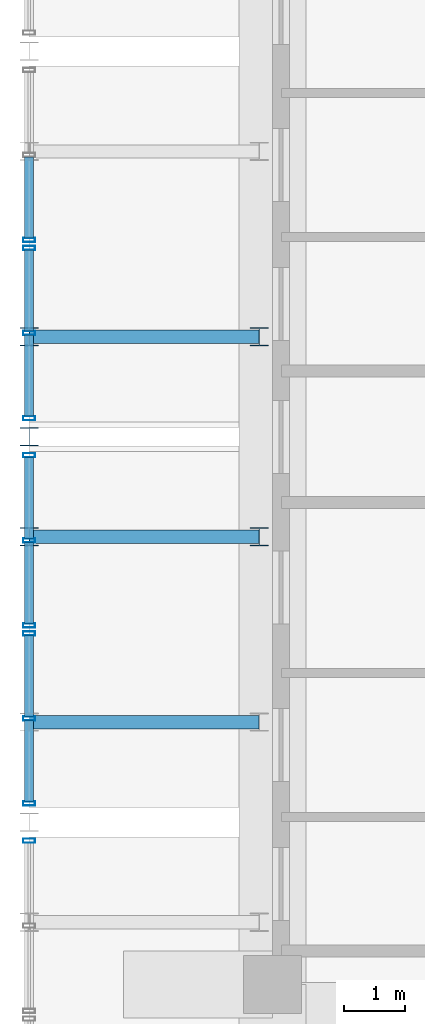
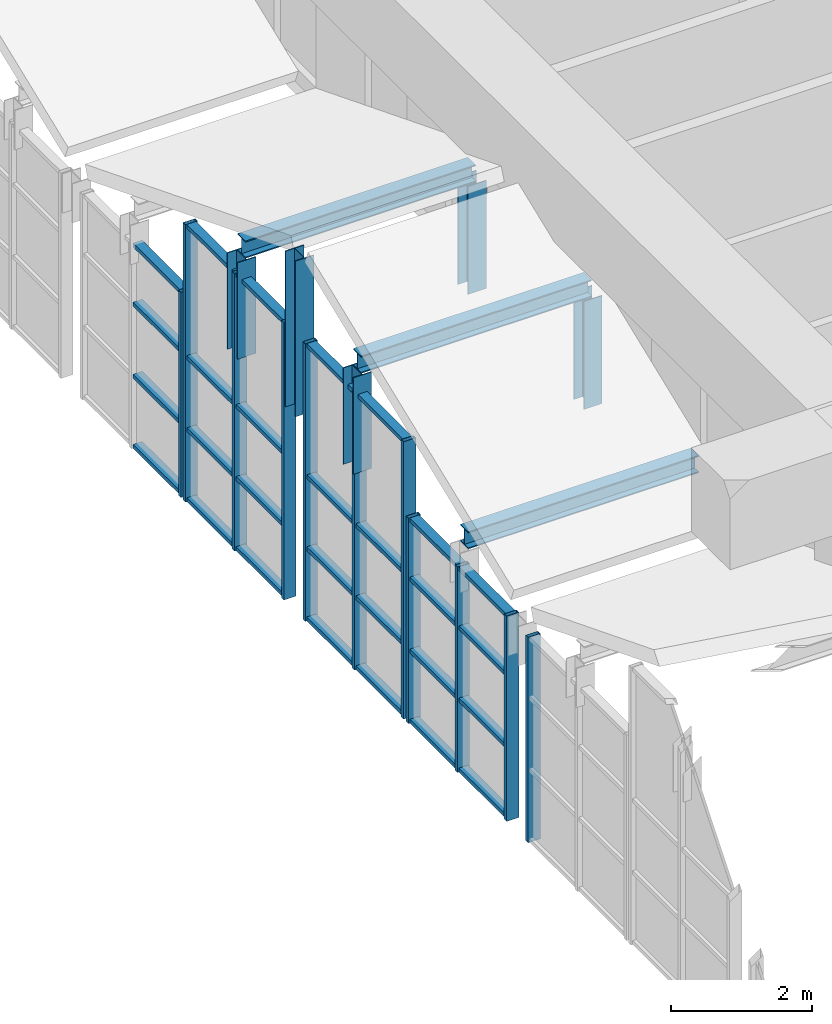
# One storey, part 8 of 45: 47 members, 5 elements without a shape of their own.
"""IFC4 building model written with IfcOpenShell, lengths in metres."""

import ifcopenshell
import ifcopenshell.guid

model = None  # the IFC model being written
_history = None  # IfcOwnerHistory: only IFC2X3 demands one
_inside = {}  # id of a spatial element -> (the spatial element, [elements in it])
_under = {}  # id of a project, library or spatial element -> (it, [spatial elements below it])
_declared = {}  # id of a project -> (the project, [libraries it declares])
_typed = {}  # id of a type object -> (the type object, [elements of that type])
_made_of = {}  # id of a material, layer set ... -> (it, [elements and type objects made of it])


def new_model(schema):
    """Start an empty IFC model of exactly this schema.

    Asked for "IFC4X3", IfcOpenShell would pick the latest addendum, in which some entities
    have other attributes; the version numbers below select the first issue.
    IFC2X3 requires an IfcOwnerHistory on every rooted entity: one is made here for all.
    """
    global model, _history
    if schema == "IFC4X3":
        model = ifcopenshell.file(schema_version=(4, 3, 0, 0))
    else:
        model = ifcopenshell.file(schema=schema)
    _inside.clear()
    _under.clear()
    _declared.clear()
    _typed.clear()
    _made_of.clear()
    _history = None
    if model.schema == "IFC2X3":
        org = make("IfcOrganization", Name="unknown")
        user = make(
            "IfcPersonAndOrganization",
            ThePerson=make("IfcPerson", FamilyName="unknown"),
            TheOrganization=org,
        )
        app = make(
            "IfcApplication",
            ApplicationDeveloper=org,
            Version="unknown",
            ApplicationFullName="unknown",
            ApplicationIdentifier="unknown",
        )
        _history = make(
            "IfcOwnerHistory",
            OwningUser=user,
            OwningApplication=app,
            ChangeAction="ADDED",
            CreationDate=0,
        )
    return model


def make(cls, **values):
    """One entity of the class cls with the attributes given. An attribute that is None is left unset."""
    return model.create_entity(
        cls, **{name: value for name, value in values.items() if value is not None}
    )


def rooted(cls, **values):
    """An entity with a GlobalId (a new one), such as an element, a storey or a relation."""
    return make(cls, GlobalId=ifcopenshell.guid.new(), OwnerHistory=_history, **values)


def si_unit(unit_type, name, prefix=None):
    """IfcSIUnit, for example si_unit("LENGTHUNIT", "METRE", prefix="MILLI")."""
    return make("IfcSIUnit", UnitType=unit_type, Prefix=prefix, Name=name)


def assignment(units):
    """IfcUnitAssignment: the units of a project."""
    return None if units is None else make("IfcUnitAssignment", Units=units)


def point(xyz):
    """IfcCartesianPoint."""
    return None if xyz is None else make("IfcCartesianPoint", Coordinates=xyz)


def direction(xyz):
    """IfcDirection."""
    return None if xyz is None else make("IfcDirection", DirectionRatios=xyz)


def frame(location, z_axis=None, x_axis=None):
    """IfcAxis2Placement3D, a coordinate frame: its origin and axes. An axis left out is left unset."""
    return make(
        "IfcAxis2Placement3D",
        Location=point(location),
        Axis=direction(z_axis),
        RefDirection=direction(x_axis),
    )


def frame_2d(location, x_axis=None):
    """IfcAxis2Placement2D, a coordinate frame in the plane: its origin and x axis."""
    return make(
        "IfcAxis2Placement2D", Location=point(location), RefDirection=direction(x_axis)
    )


def origin():
    """The frame at (0, 0, 0) with its axes left unset."""
    return frame((0.0, 0.0, 0.0))


def origin_2d():
    """The frame at (0, 0) in the plane with its x axis left unset."""
    return frame_2d((0.0, 0.0))


def place(relative_to, where):
    """IfcLocalPlacement: puts the frame where relative to a parent placement (None: the world)."""
    return make(
        "IfcLocalPlacement", PlacementRelTo=relative_to, RelativePlacement=where
    )


def context(
    kind, dimensions, precision=None, world=None, true_north=None, identifier=None
):
    """IfcGeometricRepresentationContext, for example the 3D "Model" context."""
    return make(
        "IfcGeometricRepresentationContext",
        ContextIdentifier=identifier,
        ContextType=kind,
        CoordinateSpaceDimension=dimensions,
        Precision=precision,
        WorldCoordinateSystem=world,
        TrueNorth=true_north,
    )


def subcontext(parent, identifier, kind, view, scale=None):
    """IfcGeometricRepresentationSubContext, for example "Body" below "Model"."""
    return make(
        "IfcGeometricRepresentationSubContext",
        ContextIdentifier=identifier,
        ContextType=kind,
        ParentContext=parent,
        TargetScale=scale,
        TargetView=view,
    )


def project(units=None, contexts=None):
    """IfcProject with its units and contexts."""
    return rooted(
        "IfcProject",
        Name="project",
        RepresentationContexts=contexts,
        UnitsInContext=assignment(units),
    )


def spatial(cls, under=None, at=None, **own):
    """A site, building, storey or space (cls), placed at a placement, below another one or the project."""
    s = rooted(cls, ObjectPlacement=at, **own)
    if under is not None:
        _under.setdefault(under.id(), (under, []))[1].append(s)
    return s


def profile(cls, at=None, kind="AREA", **sizes):
    """A parametric profile (cls). Its sizes go by their IFC names, for example OverallWidth=200.0."""
    return make(cls, ProfileType=kind, Position=at, **sizes)


def hollow_rectangle(**sizes):
    """IfcRectangleHollowProfileDef."""
    return profile("IfcRectangleHollowProfileDef", **sizes)


def i_section(**sizes):
    """IfcIShapeProfileDef."""
    return profile("IfcIShapeProfileDef", **sizes)


def extrude(swept, where, along, depth):
    """IfcExtrudedAreaSolid: the profile swept, set in the frame where, extruded along a direction by depth."""
    return make(
        "IfcExtrudedAreaSolid",
        SweptArea=swept,
        Position=where,
        ExtrudedDirection=direction(along),
        Depth=depth,
    )


def shape(context_of_items, identifier, shape_type, items):
    """IfcShapeRepresentation: the items that make up one representation, for example the "Body"."""
    return make(
        "IfcShapeRepresentation",
        ContextOfItems=context_of_items,
        RepresentationIdentifier=identifier,
        RepresentationType=shape_type,
        Items=items,
    )


def source(mapping_origin, context_of_items, identifier, shape_type, items):
    """IfcRepresentationMap: a shape defined once, which mapped items show again and again."""
    return make(
        "IfcRepresentationMap",
        MappingOrigin=mapping_origin,
        MappedRepresentation=shape(context_of_items, identifier, shape_type, items),
    )


def transform(
    local_origin,
    x_axis=None,
    y_axis=None,
    z_axis=None,
    scale=None,
    scale2=None,
    scale3=None,
    uniform=True,
):
    """IfcCartesianTransformationOperator3D, or its non-uniform kind. x_axis, y_axis, z_axis: its Axis1, 2, 3."""
    if uniform:
        return make(
            "IfcCartesianTransformationOperator3D",
            Axis1=direction(x_axis),
            Axis2=direction(y_axis),
            LocalOrigin=point(local_origin),
            Scale=scale,
            Axis3=direction(z_axis),
        )
    return make(
        "IfcCartesianTransformationOperator3DnonUniform",
        Axis1=direction(x_axis),
        Axis2=direction(y_axis),
        LocalOrigin=point(local_origin),
        Scale=scale,
        Axis3=direction(z_axis),
        Scale2=scale2,
        Scale3=scale3,
    )


def mapped(mapping_source, mapping_target):
    """IfcMappedItem: shows the shape of a source again, moved by a transform."""
    return make(
        "IfcMappedItem", MappingSource=mapping_source, MappingTarget=mapping_target
    )


def material(Name=None, Category=None):
    """IfcMaterial."""
    return make("IfcMaterial", Name=Name, Category=Category)


def layer(
    of_material, thickness, ventilated=None, Name=None, Category=None, Priority=None
):
    """IfcMaterialLayer: one layer of a wall or slab, of a material (None: an air gap)."""
    return make(
        "IfcMaterialLayer",
        Material=of_material,
        LayerThickness=thickness,
        IsVentilated=ventilated,
        Name=Name,
        Category=Category,
        Priority=Priority,
    )


def layer_set(layers, Name=None):
    """IfcMaterialLayerSet."""
    return make("IfcMaterialLayerSet", MaterialLayers=layers, LayerSetName=Name)


def material_profile(
    of_material, cross_section, Name=None, Category=None, Priority=None
):
    """IfcMaterialProfile: a cross section and its material."""
    return make(
        "IfcMaterialProfile",
        Name=Name,
        Material=of_material,
        Profile=cross_section,
        Priority=Priority,
        Category=Category,
    )


def profile_set(profiles, Name=None, composite=None):
    """IfcMaterialProfileSet."""
    return make(
        "IfcMaterialProfileSet",
        Name=Name,
        MaterialProfiles=profiles,
        CompositeProfile=composite,
    )


def made_of(thing, what):
    """Note that an element or type object is made of a material, layer set ...; save() writes the relation."""
    if what is not None:
        _made_of.setdefault(what.id(), (what, []))[1].append(thing)
    return thing


def type_object(cls, material=None, **own):
    """A type object (cls), such as IfcWallType, which elements share."""
    return made_of(rooted(cls, **own), material)


def element(
    cls,
    number,
    at=None,
    inside=None,
    cuts=None,
    type_object=None,
    material=None,
    context=None,
    identifier="Body",
    shape_type=None,
    held_by="IfcProductDefinitionShape",
    body=None,
    shapes=None,
    **own,
):
    """One element of the class cls, such as IfcWall. Its Tag is "e" and its number.

    at: its placement. inside: the storey or other place that contains it. cuts: it is an
    opening in that element (IfcRelVoidsElement). A single representation is given by context,
    identifier, shape_type and body (its items); several are given by shapes. held_by: the class
    of the entity that holds the representations. save() writes the other relations.
    """
    e = rooted(cls, Tag="e%d" % number, ObjectPlacement=at, **own)
    if body is not None:
        shapes = [shape(context, identifier, shape_type, body)]
    if shapes is not None:
        e.Representation = make(held_by, Representations=shapes)
    if inside is not None:
        _inside.setdefault(inside.id(), (inside, []))[1].append(e)
    if cuts is not None:
        rooted(
            "IfcRelVoidsElement", RelatingBuildingElement=cuts, RelatedOpeningElement=e
        )
    if type_object is not None:
        _typed.setdefault(type_object.id(), (type_object, []))[1].append(e)
    return made_of(e, material)


def aggregate(whole, parts):
    """IfcRelAggregates: a whole, such as a stair, and the parts it consists of."""
    return rooted("IfcRelAggregates", RelatingObject=whole, RelatedObjects=parts)


def save(model, path):
    """Write the relations noted so far, then the file.

    IfcRelAggregates (storeys below a building ...), IfcRelContainedInSpatialStructure (elements
    in a storey), IfcRelDefinesByType, IfcRelAssociatesMaterial and IfcRelDeclares: one each for
    every whole, place, type object, material and project.
    """
    for whole, parts in _under.values():
        aggregate(whole, parts)
    for where, things in _inside.values():
        rooted(
            "IfcRelContainedInSpatialStructure",
            RelatedElements=things,
            RelatingStructure=where,
        )
    for kind, things in _typed.values():
        rooted("IfcRelDefinesByType", RelatedObjects=things, RelatingType=kind)
    for what, things in _made_of.values():
        rooted("IfcRelAssociatesMaterial", RelatedObjects=things, RelatingMaterial=what)
    for by, libraries in _declared.values():
        rooted("IfcRelDeclares", RelatingContext=by, RelatedDefinitions=libraries)
    model.write(path)


model = new_model("IFC4")

# Units and contexts
model_context = context("Model", 3, precision=1e-05, world=origin(), true_north=direction((0.0, 1.0)))
body_context = subcontext(model_context, "Body", "Model", "MODEL_VIEW")
ifc_project = project(units=[si_unit("LENGTHUNIT", "METRE"), si_unit("AREAUNIT", "SQUARE_METRE"), si_unit("VOLUMEUNIT", "CUBIC_METRE"), si_unit("PLANEANGLEUNIT", "RADIAN"), si_unit("MASSUNIT", "GRAM", prefix="KILO")], contexts=[model_context])

# Site, building, storey
site_placement = place(None, origin())
site = spatial("IfcSite", under=ifc_project, at=site_placement, CompositionType="ELEMENT")
building_placement = place(site_placement, origin())
building = spatial("IfcBuilding", under=site, at=building_placement, Name="Saelheon Loggia Tower", CompositionType="ELEMENT")
storey_placement = place(building_placement, frame((0.0, 0.0, 152.199951171875)))
storey = spatial("IfcBuildingStorey", under=building, at=storey_placement, Name="L48", CompositionType="ELEMENT", Elevation=152.199951171875)

# Members
ifc_material_1 = material(Name="Steel SM355", Category="steel")
ifc_material_profile_1 = material_profile(ifc_material_1, i_section(OverallWidth=0.300048828125, OverallDepth=0.300048828125, WebThickness=0.010009765625, FlangeThickness=0.014892578125, at=origin_2d()), Name="H-300x300x10x15")
ifc_profile_set_1 = profile_set([ifc_material_profile_1], Name="Steel SM355")
member_type_1 = type_object("IfcMemberType", Name="WaveCrest_Post_H300", PredefinedType="POST", material=ifc_profile_set_1)
shared_shape_1 = source(origin(), body_context, "Body", "SweptSolid", [
    extrude(i_section(OverallWidth=0.300048828125, OverallDepth=0.300048828125, WebThickness=0.010009765625, FlangeThickness=0.014892578125, at=origin_2d()), origin(), (0.0, 0.0, 1.0), 2.699951171875),
])
member_1_placement = place(storey_placement, frame((12.0, 27.0, 0.0), z_axis=(0.0, 0.0, 1.0), x_axis=(1.0, 0.0, 0.0)))
element("IfcMember", 1, at=member_1_placement, inside=storey, type_object=member_type_1, Name="Tier 1 Wave Crest Upper Post W 03", PredefinedType="POST", context=body_context, shape_type="MappedRepresentation", body=[
    mapped(shared_shape_1, transform((0.0, 0.0, 0.0), scale=1.0)),
])
ifc_material_profile_2 = material_profile(ifc_material_1, i_section(OverallWidth=0.219970703125, OverallDepth=0.300048828125, WebThickness=0.011962890625, FlangeThickness=0.02001953125, at=origin_2d()), Name="H-300x220x12x20")
ifc_profile_set_2 = profile_set([ifc_material_profile_2], Name="Steel SM355")
member_type_2 = type_object("IfcMemberType", Name="Roof_ShoulderPurlin_RHS300", PredefinedType="PURLIN", material=ifc_profile_set_2)
shared_shape_2 = source(origin(), body_context, "Body", "SweptSolid", [
    extrude(i_section(OverallWidth=0.219970703125, OverallDepth=0.300048828125, WebThickness=0.011962890625, FlangeThickness=0.02001953125, at=origin_2d()), origin(), (0.0, 0.0, 1.0), 3.780029296875),
])
for number, where, z_axis, x_axis, name in (
    (2, (12.0, 22.3115234375, 0.6220703125), (1.0, 0.0, 0.0), (0.0, 1.0, 0.0), "Tier 1 Wave Crest Rafter W 03 A"),
    (3, (12.0, 25.355224609375, 1.823486328125), (1.0, 0.0, 0.0), (0.0, 1.0, 0.0), "Tier 1 Wave Crest Rafter W 03 B"),
    (4, (12.0, 28.644775390625, 1.823486328125), (1.0, 0.0, 0.0), (0.0, 1.0, 0.0), "Tier 1 Wave Crest Rafter W 04 A"),
):
    element("IfcMember", number, at=place(storey_placement, frame(where, z_axis=z_axis, x_axis=x_axis)), inside=storey, type_object=member_type_2, Name=name, PredefinedType="PURLIN", context=body_context, shape_type="MappedRepresentation", body=[
        mapped(shared_shape_2, transform((0.0, 0.0, 0.0), scale=1.0)),
    ])
shared_shape_3 = source(origin(), body_context, "Body", "SweptSolid", [
    extrude(i_section(OverallWidth=0.300048828125, OverallDepth=0.300048828125, WebThickness=0.010009765625, FlangeThickness=0.014892578125, at=origin_2d()), origin(), (0.0, 0.0, 1.0), 1.673583984375),
])
for number, where, z_axis, x_axis, name in (
    (5, (12.0, 25.355224609375, 0.0), (0.0, 0.0, 1.0), (1.0, 0.0, 0.0), "Tier 1 Rafter Outer Upper Post W 03"),
    (6, (12.0, 28.644775390625, 0.0), (0.0, 0.0, 1.0), (1.0, 0.0, 0.0), "Tier 1 Rafter Outer Upper Post W 04"),
):
    element("IfcMember", number, at=place(storey_placement, frame(where, z_axis=z_axis, x_axis=x_axis)), inside=storey, type_object=member_type_1, Name=name, PredefinedType="POST", context=body_context, shape_type="MappedRepresentation", body=[
        mapped(shared_shape_3, transform((0.0, 0.0, 0.0), scale=1.0)),
    ])
ifc_material_profile_3 = material_profile(ifc_material_1, i_section(OverallWidth=0.300048828125, OverallDepth=0.300048828125, WebThickness=0.010009765625, FlangeThickness=0.014892578125, at=origin_2d()), Name="H-300x300x10x15")
ifc_profile_set_3 = profile_set([ifc_material_profile_3], Name="Steel SM355")
member_type_3 = type_object("IfcMemberType", Name="Belt_Post_H300", PredefinedType="POST", material=ifc_profile_set_3)
shared_shape_4 = source(origin(), body_context, "Body", "SweptSolid", [
    extrude(i_section(OverallWidth=0.300048828125, OverallDepth=0.300048828125, WebThickness=0.010009765625, FlangeThickness=0.014892578125, at=origin_2d()), origin(), (0.0, 0.0, 1.0), 1.87353515625),
])
for number, where, z_axis, x_axis, name in (
    (7, (15.780029296875, 25.355224609375, -0.199951171875), (0.0, 0.0, 1.0), (1.0, 0.0, 0.0), "Tier 1 Rafter Inner Post W 03"),
    (8, (15.780029296875, 28.644775390625, -0.199951171875), (0.0, 0.0, 1.0), (1.0, 0.0, 0.0), "Tier 1 Rafter Inner Post W 04"),
):
    element("IfcMember", number, at=place(storey_placement, frame(where, z_axis=z_axis, x_axis=x_axis)), inside=storey, type_object=member_type_3, Name=name, PredefinedType="POST", context=body_context, shape_type="MappedRepresentation", body=[
        mapped(shared_shape_4, transform((0.0, 0.0, 0.0), scale=1.0)),
    ])

# Curtain wall, member
ifc_material_2 = material(Name="Bronze-Anodised Aluminium and Fritted Ceramic Screen", Category="aluminium")
ifc_layer = layer(ifc_material_2, 0.219970703125)
ifc_layer_set = layer_set([ifc_layer], Name="Bronze-Anodised Aluminium and Fritted Ceramic Screen")
curtain_wall_type = type_object("IfcCurtainWallType", Name="CW_CrownScreen", PredefinedType="NOTDEFINED", material=ifc_layer_set)
curtain_wall_1_placement = place(storey_placement, origin())
curtain_wall_1 = element("IfcCurtainWall", 9, at=curtain_wall_1_placement, inside=storey, type_object=curtain_wall_type, Name="Tier 1 Wave Crest Glazing W 02-2", PredefinedType="NOTDEFINED")
ifc_material_3 = material(Name="Bronze-Anodised Aluminium 6063-T6", Category="aluminium")
ifc_material_profile_4 = material_profile(ifc_material_3, hollow_rectangle(XDim=0.070068359375, YDim=0.199951171875, WallThickness=0.0048828125, at=origin_2d()), Name="RHS-200x70x5")
ifc_profile_set_4 = profile_set([ifc_material_profile_4], Name="Bronze-Anodised Aluminium 6063-T6")
member_type_4 = type_object("IfcMemberType", Name="CW_CrownScreen_Mullion", PredefinedType="MULLION", material=ifc_profile_set_4)
shared_shape_5 = source(origin(), body_context, "Body", "SweptSolid", [
    extrude(hollow_rectangle(XDim=0.070068359375, YDim=0.199951171875, WallThickness=0.0048828125, at=origin_2d()), origin(), (0.0, 0.0, 1.0), 3.56005859375),
])
member_2_placement = place(storey_placement, frame((12.0, 20.36181640625, -3.449951171875), z_axis=(0.0, 0.0, 1.0), x_axis=(0.0, 1.0, 0.0)))
member_2 = element("IfcMember", 10, at=member_2_placement, type_object=member_type_4, Name="CW6 mullion 3", PredefinedType="MULLION", context=body_context, shape_type="MappedRepresentation", body=[
    mapped(shared_shape_5, transform((0.0, 0.0, 0.0), scale=1.0)),
])
aggregate(curtain_wall_1, [member_2])

# Curtain wall, members
curtain_wall_2_placement = place(storey_placement, origin())
curtain_wall_2 = element("IfcCurtainWall", 11, at=curtain_wall_2_placement, inside=storey, type_object=curtain_wall_type, Name="Tier 1 Wave Crest Glazing W 03-1", PredefinedType="NOTDEFINED")
member_3_placement = place(storey_placement, frame((12.0, 20.9716796875, -3.449951171875), z_axis=(0.0, 0.0, 1.0), x_axis=(0.0, 1.0, 0.0)))
member_3 = element("IfcMember", 12, at=member_3_placement, type_object=member_type_4, Name="CW6 mullion 1", PredefinedType="MULLION", context=body_context, shape_type="MappedRepresentation", body=[
    mapped(shared_shape_5, transform((0.0, 0.0, 0.0), scale=1.0)),
])
member_4_placement = place(storey_placement, frame((12.0, 22.3701171875, -3.449951171875), z_axis=(0.0, 0.0, 1.0), x_axis=(0.0, 1.0, 0.0)))
member_4 = element("IfcMember", 13, at=member_4_placement, type_object=member_type_4, Name="CW6 mullion 2", PredefinedType="MULLION", context=body_context, shape_type="MappedRepresentation", body=[
    mapped(shared_shape_5, transform((0.0, 0.0, 0.0), scale=1.0)),
])
member_5_placement = place(storey_placement, frame((12.0, 23.768310546875, -3.449951171875), z_axis=(0.0, 0.0, 1.0), x_axis=(0.0, 1.0, 0.0)))
member_5 = element("IfcMember", 14, at=member_5_placement, type_object=member_type_4, Name="CW6 mullion 3", PredefinedType="MULLION", context=body_context, shape_type="MappedRepresentation", body=[
    mapped(shared_shape_5, transform((0.0, 0.0, 0.0), scale=1.0)),
])

# Curtain wall, member
curtain_wall_3_placement = place(storey_placement, origin())
curtain_wall_3 = element("IfcCurtainWall", 15, at=curtain_wall_3_placement, inside=storey, type_object=curtain_wall_type, Name="Tier 1 Wave Crest Glazing W 04-2", PredefinedType="NOTDEFINED")
member_6_placement = place(storey_placement, frame((12.0, 30.231689453125, -3.449951171875), z_axis=(0.0, 0.0, 1.0), x_axis=(0.0, 1.0, 0.0)))
member_6 = element("IfcMember", 16, at=member_6_placement, type_object=member_type_4, Name="CW6 mullion 1", PredefinedType="MULLION", context=body_context, shape_type="MappedRepresentation", body=[
    mapped(shared_shape_5, transform((0.0, 0.0, 0.0), scale=1.0)),
])

# Member
ifc_material_profile_5 = material_profile(ifc_material_3, hollow_rectangle(XDim=0.070068359375, YDim=0.14990234375, WallThickness=0.0048828125, at=origin_2d()), Name="RHS-150x70x5")
ifc_profile_set_5 = profile_set([ifc_material_profile_5], Name="Bronze-Anodised Aluminium 6063-T6")
member_type_5 = type_object("IfcMemberType", Name="CW_CrownScreen_Transom", PredefinedType="USERDEFINED", material=ifc_profile_set_5)
shared_shape_6 = source(origin(), body_context, "Body", "SweptSolid", [
    extrude(hollow_rectangle(XDim=0.070068359375, YDim=0.14990234375, WallThickness=0.0048828125, at=origin_2d()), origin(), (0.0, 0.0, 1.0), 1.328369140625),
])
member_7_placement = place(storey_placement, frame((12.0, 21.006591796875, -3.4150390625), z_axis=(0.0, 1.0, 0.0), x_axis=(0.0, 0.0, 1.0)))
member_7 = element("IfcMember", 17, at=member_7_placement, type_object=member_type_5, Name="CW6 transom 1.1", ObjectType="TRANSOM", PredefinedType="USERDEFINED", context=body_context, shape_type="MappedRepresentation", body=[
    mapped(shared_shape_6, transform((0.0, 0.0, 0.0), scale=1.0)),
])

member_8_placement = place(storey_placement, frame((12.0, 21.006591796875, -2.199951171875), z_axis=(0.0, 1.0, 0.0), x_axis=(0.0, 0.0, 1.0)))
member_8 = element("IfcMember", 18, at=member_8_placement, type_object=member_type_5, Name="CW6 transom 1.2", ObjectType="TRANSOM", PredefinedType="USERDEFINED", context=body_context, shape_type="MappedRepresentation", body=[
    mapped(shared_shape_6, transform((0.0, 0.0, 0.0), scale=1.0)),
])

member_9_placement = place(storey_placement, frame((12.0, 21.006591796875, -0.949951171875), z_axis=(0.0, 1.0, 0.0), x_axis=(0.0, 0.0, 1.0)))
member_9 = element("IfcMember", 19, at=member_9_placement, type_object=member_type_5, Name="CW6 transom 1.3", ObjectType="TRANSOM", PredefinedType="USERDEFINED", context=body_context, shape_type="MappedRepresentation", body=[
    mapped(shared_shape_6, transform((0.0, 0.0, 0.0), scale=1.0)),
])

member_10_placement = place(storey_placement, frame((12.0, 21.006591796875, 0.074951171875), z_axis=(0.0, 1.0, 0.0), x_axis=(0.0, 0.0, 1.0)))
member_10 = element("IfcMember", 20, at=member_10_placement, type_object=member_type_5, Name="CW6 transom 1.4", ObjectType="TRANSOM", PredefinedType="USERDEFINED", context=body_context, shape_type="MappedRepresentation", body=[
    mapped(shared_shape_6, transform((0.0, 0.0, 0.0), scale=1.0)),
])

member_11_placement = place(storey_placement, frame((12.0, 22.405029296875, -3.4150390625), z_axis=(0.0, 1.0, 0.0), x_axis=(0.0, 0.0, 1.0)))
member_11 = element("IfcMember", 21, at=member_11_placement, type_object=member_type_5, Name="CW6 transom 2.1", ObjectType="TRANSOM", PredefinedType="USERDEFINED", context=body_context, shape_type="MappedRepresentation", body=[
    mapped(shared_shape_6, transform((0.0, 0.0, 0.0), scale=1.0)),
])

member_12_placement = place(storey_placement, frame((12.0, 22.405029296875, -2.199951171875), z_axis=(0.0, 1.0, 0.0), x_axis=(0.0, 0.0, 1.0)))
member_12 = element("IfcMember", 22, at=member_12_placement, type_object=member_type_5, Name="CW6 transom 2.2", ObjectType="TRANSOM", PredefinedType="USERDEFINED", context=body_context, shape_type="MappedRepresentation", body=[
    mapped(shared_shape_6, transform((0.0, 0.0, 0.0), scale=1.0)),
])

member_13_placement = place(storey_placement, frame((12.0, 22.405029296875, -0.949951171875), z_axis=(0.0, 1.0, 0.0), x_axis=(0.0, 0.0, 1.0)))
member_13 = element("IfcMember", 23, at=member_13_placement, type_object=member_type_5, Name="CW6 transom 2.3", ObjectType="TRANSOM", PredefinedType="USERDEFINED", context=body_context, shape_type="MappedRepresentation", body=[
    mapped(shared_shape_6, transform((0.0, 0.0, 0.0), scale=1.0)),
])

member_14_placement = place(storey_placement, frame((12.0, 22.405029296875, 0.074951171875), z_axis=(0.0, 1.0, 0.0), x_axis=(0.0, 0.0, 1.0)))
member_14 = element("IfcMember", 24, at=member_14_placement, type_object=member_type_5, Name="CW6 transom 2.4", ObjectType="TRANSOM", PredefinedType="USERDEFINED", context=body_context, shape_type="MappedRepresentation", body=[
    mapped(shared_shape_6, transform((0.0, 0.0, 0.0), scale=1.0)),
])

aggregate(curtain_wall_2, [member_3, member_4, member_5, member_7, member_8, member_9, member_10, member_11, member_12, member_13, member_14])

# Curtain wall, members
curtain_wall_4_placement = place(storey_placement, origin())
curtain_wall_4 = element("IfcCurtainWall", 25, at=curtain_wall_4_placement, inside=storey, type_object=curtain_wall_type, Name="Tier 1 Wave Crest Glazing W 03-2", PredefinedType="NOTDEFINED")
member_15_placement = place(storey_placement, frame((12.0, 23.933349609375, -3.4150390625), z_axis=(0.0, 1.0, 0.0), x_axis=(0.0, 0.0, 1.0)))
member_15 = element("IfcMember", 26, at=member_15_placement, type_object=member_type_5, Name="CW6 transom 1.1", ObjectType="TRANSOM", PredefinedType="USERDEFINED", context=body_context, shape_type="MappedRepresentation", body=[
    mapped(shared_shape_6, transform((0.0, 0.0, 0.0), scale=1.0)),
])
member_16_placement = place(storey_placement, frame((12.0, 23.933349609375, -2.199951171875), z_axis=(0.0, 1.0, 0.0), x_axis=(0.0, 0.0, 1.0)))
member_16 = element("IfcMember", 27, at=member_16_placement, type_object=member_type_5, Name="CW6 transom 1.2", ObjectType="TRANSOM", PredefinedType="USERDEFINED", context=body_context, shape_type="MappedRepresentation", body=[
    mapped(shared_shape_6, transform((0.0, 0.0, 0.0), scale=1.0)),
])
member_17_placement = place(storey_placement, frame((12.0, 23.933349609375, -0.949951171875), z_axis=(0.0, 1.0, 0.0), x_axis=(0.0, 0.0, 1.0)))
member_17 = element("IfcMember", 28, at=member_17_placement, type_object=member_type_5, Name="CW6 transom 1.3", ObjectType="TRANSOM", PredefinedType="USERDEFINED", context=body_context, shape_type="MappedRepresentation", body=[
    mapped(shared_shape_6, transform((0.0, 0.0, 0.0), scale=1.0)),
])
member_18_placement = place(storey_placement, frame((12.0, 23.933349609375, 1.324951171875), z_axis=(0.0, 1.0, 0.0), x_axis=(0.0, 0.0, 1.0)))
member_18 = element("IfcMember", 29, at=member_18_placement, type_object=member_type_5, Name="CW6 transom 1.4", ObjectType="TRANSOM", PredefinedType="USERDEFINED", context=body_context, shape_type="MappedRepresentation", body=[
    mapped(shared_shape_6, transform((0.0, 0.0, 0.0), scale=1.0)),
])

curtain_wall_5_placement = place(storey_placement, origin())
curtain_wall_5 = element("IfcCurtainWall", 30, at=curtain_wall_5_placement, inside=storey, type_object=curtain_wall_type, Name="Tier 1 Wave Crest Glazing W 04-1", PredefinedType="NOTDEFINED")
member_19_placement = place(storey_placement, frame((12.0, 28.73828125, -3.4150390625), z_axis=(0.0, 1.0, 0.0), x_axis=(0.0, 0.0, 1.0)))
member_19 = element("IfcMember", 31, at=member_19_placement, type_object=member_type_5, Name="CW6 transom 2.1", ObjectType="TRANSOM", PredefinedType="USERDEFINED", context=body_context, shape_type="MappedRepresentation", body=[
    mapped(shared_shape_6, transform((0.0, 0.0, 0.0), scale=1.0)),
])
member_20_placement = place(storey_placement, frame((12.0, 28.73828125, -2.199951171875), z_axis=(0.0, 1.0, 0.0), x_axis=(0.0, 0.0, 1.0)))
member_20 = element("IfcMember", 32, at=member_20_placement, type_object=member_type_5, Name="CW6 transom 2.2", ObjectType="TRANSOM", PredefinedType="USERDEFINED", context=body_context, shape_type="MappedRepresentation", body=[
    mapped(shared_shape_6, transform((0.0, 0.0, 0.0), scale=1.0)),
])
member_21_placement = place(storey_placement, frame((12.0, 28.73828125, -0.949951171875), z_axis=(0.0, 1.0, 0.0), x_axis=(0.0, 0.0, 1.0)))
member_21 = element("IfcMember", 33, at=member_21_placement, type_object=member_type_5, Name="CW6 transom 2.3", ObjectType="TRANSOM", PredefinedType="USERDEFINED", context=body_context, shape_type="MappedRepresentation", body=[
    mapped(shared_shape_6, transform((0.0, 0.0, 0.0), scale=1.0)),
])
member_22_placement = place(storey_placement, frame((12.0, 28.73828125, 1.324951171875), z_axis=(0.0, 1.0, 0.0), x_axis=(0.0, 0.0, 1.0)))
member_22 = element("IfcMember", 34, at=member_22_placement, type_object=member_type_5, Name="CW6 transom 2.4", ObjectType="TRANSOM", PredefinedType="USERDEFINED", context=body_context, shape_type="MappedRepresentation", body=[
    mapped(shared_shape_6, transform((0.0, 0.0, 0.0), scale=1.0)),
])

# Member
member_23_placement = place(storey_placement, frame((12.0, 30.2666015625, -3.4150390625), z_axis=(0.0, 1.0, 0.0), x_axis=(0.0, 0.0, 1.0)))
member_23 = element("IfcMember", 35, at=member_23_placement, type_object=member_type_5, Name="CW6 transom 1.1", ObjectType="TRANSOM", PredefinedType="USERDEFINED", context=body_context, shape_type="MappedRepresentation", body=[
    mapped(shared_shape_6, transform((0.0, 0.0, 0.0), scale=1.0)),
])

member_24_placement = place(storey_placement, frame((12.0, 30.2666015625, -2.199951171875), z_axis=(0.0, 1.0, 0.0), x_axis=(0.0, 0.0, 1.0)))
member_24 = element("IfcMember", 36, at=member_24_placement, type_object=member_type_5, Name="CW6 transom 1.2", ObjectType="TRANSOM", PredefinedType="USERDEFINED", context=body_context, shape_type="MappedRepresentation", body=[
    mapped(shared_shape_6, transform((0.0, 0.0, 0.0), scale=1.0)),
])

member_25_placement = place(storey_placement, frame((12.0, 30.2666015625, -0.949951171875), z_axis=(0.0, 1.0, 0.0), x_axis=(0.0, 0.0, 1.0)))
member_25 = element("IfcMember", 37, at=member_25_placement, type_object=member_type_5, Name="CW6 transom 1.3", ObjectType="TRANSOM", PredefinedType="USERDEFINED", context=body_context, shape_type="MappedRepresentation", body=[
    mapped(shared_shape_6, transform((0.0, 0.0, 0.0), scale=1.0)),
])

member_26_placement = place(storey_placement, frame((12.0, 30.2666015625, 0.074951171875), z_axis=(0.0, 1.0, 0.0), x_axis=(0.0, 0.0, 1.0)))
member_26 = element("IfcMember", 38, at=member_26_placement, type_object=member_type_5, Name="CW6 transom 1.4", ObjectType="TRANSOM", PredefinedType="USERDEFINED", context=body_context, shape_type="MappedRepresentation", body=[
    mapped(shared_shape_6, transform((0.0, 0.0, 0.0), scale=1.0)),
])

aggregate(curtain_wall_3, [member_6, member_23, member_24, member_25, member_26])

shared_shape_7 = source(origin(), body_context, "Body", "SweptSolid", [
    extrude(hollow_rectangle(XDim=0.070068359375, YDim=0.199951171875, WallThickness=0.0048828125, at=origin_2d()), origin(), (0.0, 0.0, 1.0), 4.81005859375),
])
member_27_placement = place(storey_placement, frame((12.0, 23.8984375, -3.449951171875), z_axis=(0.0, 0.0, 1.0), x_axis=(0.0, 1.0, 0.0)))
member_27 = element("IfcMember", 39, at=member_27_placement, type_object=member_type_4, Name="CW6 mullion 1", PredefinedType="MULLION", context=body_context, shape_type="MappedRepresentation", body=[
    mapped(shared_shape_7, transform((0.0, 0.0, 0.0), scale=1.0)),
])

member_28_placement = place(storey_placement, frame((12.0, 25.296630859375, -3.449951171875), z_axis=(0.0, 0.0, 1.0), x_axis=(0.0, 1.0, 0.0)))
member_28 = element("IfcMember", 40, at=member_28_placement, type_object=member_type_4, Name="CW6 mullion 2", PredefinedType="MULLION", context=body_context, shape_type="MappedRepresentation", body=[
    mapped(shared_shape_7, transform((0.0, 0.0, 0.0), scale=1.0)),
])

member_29_placement = place(storey_placement, frame((12.0, 26.695068359375, -3.449951171875), z_axis=(0.0, 0.0, 1.0), x_axis=(0.0, 1.0, 0.0)))
member_29 = element("IfcMember", 41, at=member_29_placement, type_object=member_type_4, Name="CW6 mullion 3", PredefinedType="MULLION", context=body_context, shape_type="MappedRepresentation", body=[
    mapped(shared_shape_7, transform((0.0, 0.0, 0.0), scale=1.0)),
])

member_30_placement = place(storey_placement, frame((12.0, 27.304931640625, -3.449951171875), z_axis=(0.0, 0.0, 1.0), x_axis=(0.0, 1.0, 0.0)))
member_30 = element("IfcMember", 42, at=member_30_placement, type_object=member_type_4, Name="CW6 mullion 1", PredefinedType="MULLION", context=body_context, shape_type="MappedRepresentation", body=[
    mapped(shared_shape_7, transform((0.0, 0.0, 0.0), scale=1.0)),
])

member_31_placement = place(storey_placement, frame((12.0, 28.703369140625, -3.449951171875), z_axis=(0.0, 0.0, 1.0), x_axis=(0.0, 1.0, 0.0)))
member_31 = element("IfcMember", 43, at=member_31_placement, type_object=member_type_4, Name="CW6 mullion 2", PredefinedType="MULLION", context=body_context, shape_type="MappedRepresentation", body=[
    mapped(shared_shape_7, transform((0.0, 0.0, 0.0), scale=1.0)),
])

member_32_placement = place(storey_placement, frame((12.0, 30.1015625, -3.449951171875), z_axis=(0.0, 0.0, 1.0), x_axis=(0.0, 1.0, 0.0)))
member_32 = element("IfcMember", 44, at=member_32_placement, type_object=member_type_4, Name="CW6 mullion 3", PredefinedType="MULLION", context=body_context, shape_type="MappedRepresentation", body=[
    mapped(shared_shape_7, transform((0.0, 0.0, 0.0), scale=1.0)),
])

shared_shape_8 = source(origin(), body_context, "Body", "SweptSolid", [
    extrude(hollow_rectangle(XDim=0.070068359375, YDim=0.14990234375, WallThickness=0.0048828125, at=origin_2d()), origin(), (0.0, 0.0, 1.0), 1.328125),
])
member_33_placement = place(storey_placement, frame((12.0, 25.331787109375, -3.4150390625), z_axis=(0.0, 1.0, 0.0), x_axis=(0.0, 0.0, 1.0)))
member_33 = element("IfcMember", 45, at=member_33_placement, type_object=member_type_5, Name="CW6 transom 2.1", ObjectType="TRANSOM", PredefinedType="USERDEFINED", context=body_context, shape_type="MappedRepresentation", body=[
    mapped(shared_shape_8, transform((0.0, 0.0, 0.0), scale=1.0)),
])

member_34_placement = place(storey_placement, frame((12.0, 25.331787109375, -2.199951171875), z_axis=(0.0, 1.0, 0.0), x_axis=(0.0, 0.0, 1.0)))
member_34 = element("IfcMember", 46, at=member_34_placement, type_object=member_type_5, Name="CW6 transom 2.2", ObjectType="TRANSOM", PredefinedType="USERDEFINED", context=body_context, shape_type="MappedRepresentation", body=[
    mapped(shared_shape_8, transform((0.0, 0.0, 0.0), scale=1.0)),
])

member_35_placement = place(storey_placement, frame((12.0, 25.331787109375, -0.949951171875), z_axis=(0.0, 1.0, 0.0), x_axis=(0.0, 0.0, 1.0)))
member_35 = element("IfcMember", 47, at=member_35_placement, type_object=member_type_5, Name="CW6 transom 2.3", ObjectType="TRANSOM", PredefinedType="USERDEFINED", context=body_context, shape_type="MappedRepresentation", body=[
    mapped(shared_shape_8, transform((0.0, 0.0, 0.0), scale=1.0)),
])

member_36_placement = place(storey_placement, frame((12.0, 25.331787109375, 1.324951171875), z_axis=(0.0, 1.0, 0.0), x_axis=(0.0, 0.0, 1.0)))
member_36 = element("IfcMember", 48, at=member_36_placement, type_object=member_type_5, Name="CW6 transom 2.4", ObjectType="TRANSOM", PredefinedType="USERDEFINED", context=body_context, shape_type="MappedRepresentation", body=[
    mapped(shared_shape_8, transform((0.0, 0.0, 0.0), scale=1.0)),
])

aggregate(curtain_wall_4, [member_27, member_28, member_29, member_15, member_16, member_17, member_18, member_33, member_34, member_35, member_36])

member_37_placement = place(storey_placement, frame((12.0, 27.340087890625, -3.4150390625), z_axis=(0.0, 1.0, 0.0), x_axis=(0.0, 0.0, 1.0)))
member_37 = element("IfcMember", 49, at=member_37_placement, type_object=member_type_5, Name="CW6 transom 1.1", ObjectType="TRANSOM", PredefinedType="USERDEFINED", context=body_context, shape_type="MappedRepresentation", body=[
    mapped(shared_shape_8, transform((0.0, 0.0, 0.0), scale=1.0)),
])

member_38_placement = place(storey_placement, frame((12.0, 27.340087890625, -2.199951171875), z_axis=(0.0, 1.0, 0.0), x_axis=(0.0, 0.0, 1.0)))
member_38 = element("IfcMember", 50, at=member_38_placement, type_object=member_type_5, Name="CW6 transom 1.2", ObjectType="TRANSOM", PredefinedType="USERDEFINED", context=body_context, shape_type="MappedRepresentation", body=[
    mapped(shared_shape_8, transform((0.0, 0.0, 0.0), scale=1.0)),
])

member_39_placement = place(storey_placement, frame((12.0, 27.340087890625, -0.949951171875), z_axis=(0.0, 1.0, 0.0), x_axis=(0.0, 0.0, 1.0)))
member_39 = element("IfcMember", 51, at=member_39_placement, type_object=member_type_5, Name="CW6 transom 1.3", ObjectType="TRANSOM", PredefinedType="USERDEFINED", context=body_context, shape_type="MappedRepresentation", body=[
    mapped(shared_shape_8, transform((0.0, 0.0, 0.0), scale=1.0)),
])

member_40_placement = place(storey_placement, frame((12.0, 27.340087890625, 1.324951171875), z_axis=(0.0, 1.0, 0.0), x_axis=(0.0, 0.0, 1.0)))
member_40 = element("IfcMember", 52, at=member_40_placement, type_object=member_type_5, Name="CW6 transom 1.4", ObjectType="TRANSOM", PredefinedType="USERDEFINED", context=body_context, shape_type="MappedRepresentation", body=[
    mapped(shared_shape_8, transform((0.0, 0.0, 0.0), scale=1.0)),
])

aggregate(curtain_wall_5, [member_30, member_31, member_32, member_37, member_38, member_39, member_40, member_19, member_20, member_21, member_22])

save(model, "model.ifc")
